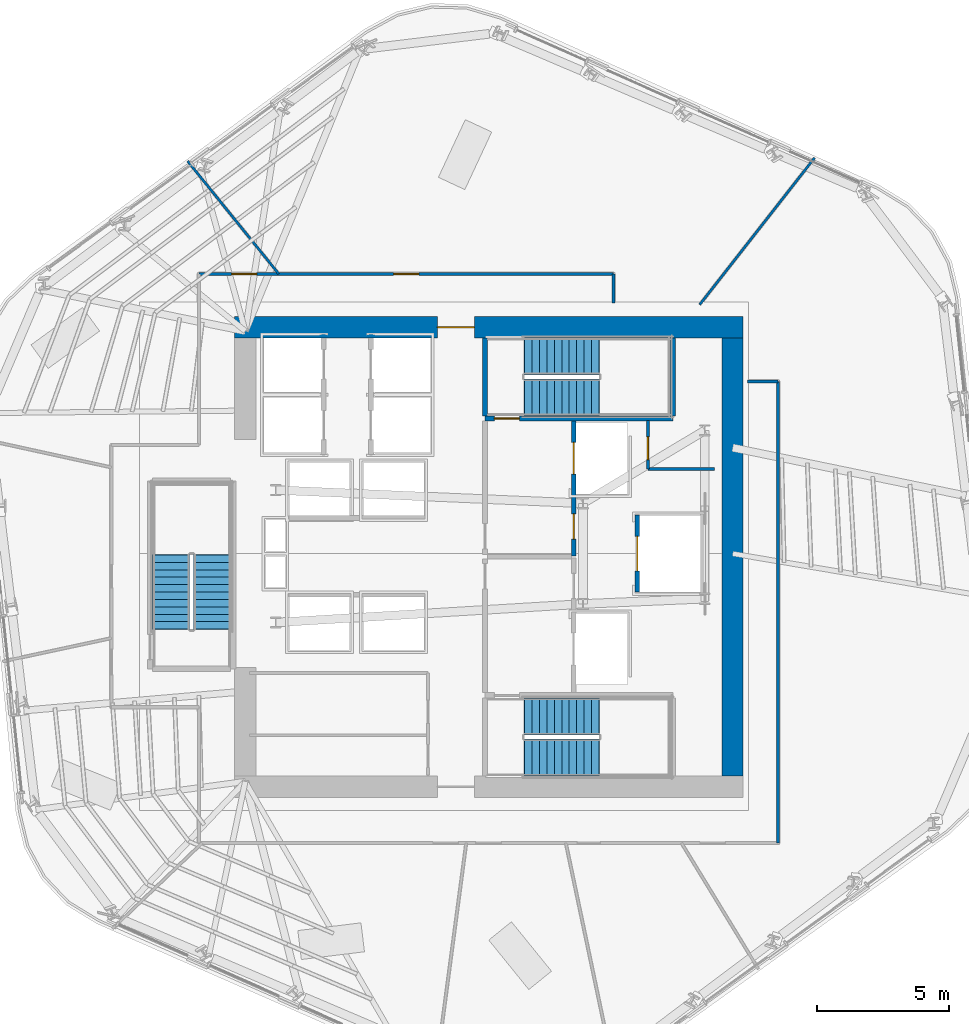
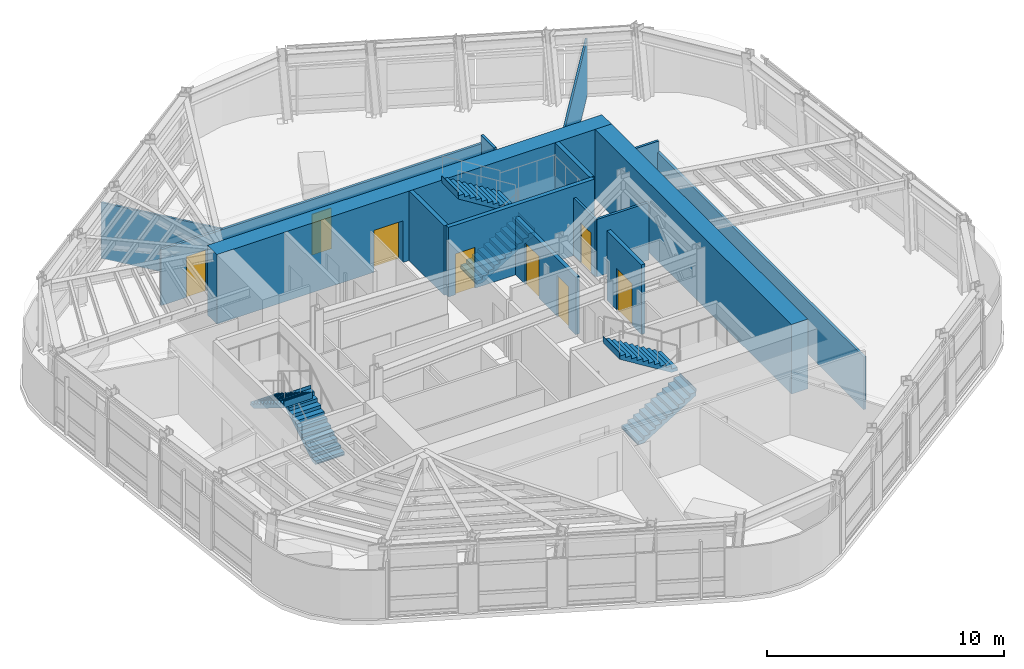
# One storey, part 9 of 14: 15 walls, 8 doors, 6 stair flights, 8 openings, 3 elements without a shape of their own.
"""IFC4 building model written with IfcOpenShell, lengths in metres."""

from ifc_helpers import new_model, si_unit, direction, frame, frame_2d, origin, place, context, subcontext, project, spatial, polyline, rectangle, outline, extrude, material, layer, layer_set, type_object, element, fill, aggregate, save


model = new_model("IFC4")

# Units and contexts
model_context = context("Model", 3, precision=1e-05, world=origin(), true_north=direction((0.0, 1.0)))
body_context = subcontext(model_context, "Body", "Model", "MODEL_VIEW")
ifc_project = project(units=[si_unit("LENGTHUNIT", "METRE"), si_unit("AREAUNIT", "SQUARE_METRE"), si_unit("VOLUMEUNIT", "CUBIC_METRE"), si_unit("PLANEANGLEUNIT", "RADIAN"), si_unit("MASSUNIT", "GRAM", prefix="KILO")], contexts=[model_context])

# Site, building, storey
site_placement = place(None, origin())
site = spatial("IfcSite", under=ifc_project, at=site_placement, CompositionType="ELEMENT")
building_placement = place(site_placement, origin())
building = spatial("IfcBuilding", under=site, at=building_placement, Name="Valkerne Bourse Tower", CompositionType="ELEMENT")
storey_placement = place(building_placement, frame((0.0, 0.0, 178.0)))
storey = spatial("IfcBuildingStorey", under=building, at=storey_placement, Name="L45", CompositionType="ELEMENT", Elevation=178.0)

# Wall, opening, door
ifc_material_1 = material(Name="Concrete C55/67", Category="concrete")
ifc_layer_1 = layer(ifc_material_1, 0.800048828125)
ifc_layer_set_1 = layer_set([ifc_layer_1], Name="Concrete C55/67")
wall_type_1 = type_object("IfcWallType", Name="W-CORE-800", PredefinedType="SHEAR", material=ifc_layer_set_1)
wall_1_placement = place(storey_placement, frame((37.199951171875, 35.550048828125, 0.0), z_axis=(0.0, 0.0, 1.0), x_axis=(1.0, 0.0, 0.0)))
wall_1 = element("IfcWall", 1, at=wall_1_placement, inside=storey, type_object=wall_type_1, Name="L45 Core Shear Wall NORTH", PredefinedType="SHEAR", context=body_context, shape_type="SweptSolid", body=[
    extrude(rectangle(XDim=19.199951171875, YDim=0.800048828125, at=frame_2d((9.60009765625, 0.0))), origin(), (0.0, 0.0, 1.0), 3.580078125),
])
opening_1_placement = place(wall_1_placement, frame((7.64990234375, 0.0, 0.0)))
opening_1 = element("IfcOpeningElement", 2, at=opening_1_placement, cuts=wall_1, Name="Opening D-PL-1400", PredefinedType="OPENING", context=body_context, shape_type="SweptSolid", body=[
    extrude(rectangle(XDim=1.39990234375, YDim=2.14990234375, at=frame_2d((0.699951171875, 1.074951171875))), frame((0.0, 0.409912109375, 0.0), z_axis=(0.0, -1.0, 0.0), x_axis=(1.0, 0.0, 0.0)), (0.0, 0.0, 1.0), 0.820068359375),
])
ifc_material_2 = material(Name="Galvanised Painted Steel", Category="steel")
door_type_1 = type_object("IfcDoorType", Name="DR-PLT-1400", OperationType="DOUBLE_DOOR_SINGLE_SWING", PredefinedType="DOOR", material=ifc_material_2)
door_1_placement = place(opening_1_placement, origin())
door_1 = element("IfcDoor", 3, at=door_1_placement, inside=storey, type_object=door_type_1, Name="L45 North Passenger Lift Hall Fire Door", OperationType="DOUBLE_DOOR_SINGLE_SWING", OverallHeight=2.14990234375, OverallWidth=1.39990234375, PredefinedType="DOOR", context=body_context, shape_type="SweptSolid", body=[
    extrude(rectangle(XDim=1.39990234375, YDim=2.14990234375, at=frame_2d((0.699951171875, 1.074951171875))), frame((0.0, 0.02490234375, 0.0), z_axis=(0.0, -1.0, 0.0), x_axis=(1.0, 0.0, 0.0)), (0.0, 0.0, 1.0), 0.050048828125),
])
fill(opening_1, door_1)

# Wall
wall_2_placement = place(storey_placement, frame((56.0, 18.60009765625, 0.0), z_axis=(0.0, 0.0, 1.0), x_axis=(0.0, 1.0, 0.0)))
element("IfcWall", 4, at=wall_2_placement, inside=storey, type_object=wall_type_1, Name="L45 Core Shear Wall EAST", PredefinedType="SHEAR", context=body_context, shape_type="SweptSolid", body=[
    extrude(rectangle(XDim=16.5498046875, YDim=0.800048828125, at=frame_2d((8.27490234375, 0.0))), origin(), (0.0, 0.0, 1.0), 3.580078125),
])

# Wall, opening, door
ifc_material_3 = material(Name="Gypsum Board Steel-Stud Partition", Category="steel")
ifc_layer_2 = layer(ifc_material_3, 0.117919921875)
ifc_layer_set_2 = layer_set([ifc_layer_2], Name="Gypsum Board Steel-Stud Partition")
wall_type_2 = type_object("IfcWallType", Name="W-CORR-140", PredefinedType="PARTITIONING", material=ifc_layer_set_2)
wall_3_placement = place(storey_placement, frame((52.800048828125, 30.199951171875, 0.0), z_axis=(0.0, 0.0, 1.0), x_axis=(0.0, 1.0, 0.0)))
wall_3 = element("IfcWall", 5, at=wall_3_placement, inside=storey, type_object=wall_type_2, Name="L45 Core NE Bay West Wall", PredefinedType="PARTITIONING", context=body_context, shape_type="SweptSolid", body=[
    extrude(rectangle(XDim=1.820068359375, YDim=0.117919921875, at=frame_2d((0.91015625, 0.0))), origin(), (0.0, 0.0, 1.0), 2.9580078125),
])
opening_2_placement = place(wall_3_placement, frame((0.35009765625, 0.0, 0.0)))
opening_2 = element("IfcOpeningElement", 6, at=opening_2_placement, cuts=wall_3, Name="Opening D-WC-900", PredefinedType="OPENING", context=body_context, shape_type="SweptSolid", body=[
    extrude(rectangle(XDim=0.860107421875, YDim=2.050048828125, at=frame_2d((0.43017578125, 1.02490234375))), frame((0.0, 0.06884765625, 0.0), z_axis=(0.0, -1.0, 0.0), x_axis=(1.0, 0.0, 0.0)), (0.0, 0.0, 1.0), 0.137939453125),
])
ifc_material_4 = material(Name="Architectural White Oak Timber", Category="wood")
door_type_2 = type_object("IfcDoorType", Name="DR-WC-900", OperationType="NOTDEFINED", PredefinedType="DOOR", material=ifc_material_4)
door_2_placement = place(opening_2_placement, origin())
door_2 = element("IfcDoor", 7, at=door_2_placement, inside=storey, type_object=door_type_2, Name="L45 Electrical Closet Door", OperationType="SINGLE_SWING_LEFT", OverallHeight=2.050048828125, OverallWidth=0.860107421875, PredefinedType="DOOR", context=body_context, shape_type="SweptSolid", body=[
    extrude(rectangle(XDim=0.860107421875, YDim=2.050048828125, at=frame_2d((0.43017578125, 1.02490234375))), frame((0.0, 0.02490234375, 0.0), z_axis=(0.0, -1.0, 0.0), x_axis=(1.0, 0.0, 0.0)), (0.0, 0.0, 1.0), 0.050048828125),
])
fill(opening_2, door_2)

# Wall
wall_4_placement = place(storey_placement, frame((52.800048828125, 30.199951171875, 0.0), z_axis=(0.0, 0.0, 1.0), x_axis=(1.0, 0.0, 0.0)))
element("IfcWall", 8, at=wall_4_placement, inside=storey, type_object=wall_type_2, Name="L45 Core NE Bay South Wall", PredefinedType="PARTITIONING", context=body_context, shape_type="SweptSolid", body=[
    extrude(rectangle(XDim=2.52001953125, YDim=0.117919921875, at=frame_2d((1.260009765625, 0.0))), origin(), (0.0, 0.0, 1.0), 2.9580078125),
])

# Wall, openings, doors
wall_5_placement = place(storey_placement, frame((35.85009765625, 37.56005859375, 0.0), z_axis=(0.0, 0.0, 1.0), x_axis=(1.0, 0.0, 0.0)))
wall_5 = element("IfcWall", 9, at=wall_5_placement, inside=storey, type_object=wall_type_2, Name="L45 Corridor Enclosure Wall", PredefinedType="PARTITIONING", context=body_context, shape_type="SweptSolid", body=[
    extrude(rectangle(XDim=15.64990234375, YDim=0.117919921875, at=frame_2d((7.824951171875, 0.0))), origin(), (0.0, 0.0, 1.0), 2.876708984375),
])
opening_3_placement = place(wall_5_placement, frame((1.22998046875, 0.0, 0.0)))
opening_3 = element("IfcOpeningElement", 10, at=opening_3_placement, cuts=wall_5, Name="Opening D-OF-950", PredefinedType="OPENING", context=body_context, shape_type="SweptSolid", body=[
    extrude(rectangle(XDim=0.949951171875, YDim=2.10009765625, at=frame_2d((0.47509765625, 1.050048828125))), frame((0.0, 0.06884765625, 0.0), z_axis=(0.0, -1.0, 0.0), x_axis=(1.0, 0.0, 0.0)), (0.0, 0.0, 1.0), 0.137939453125),
])
opening_4_placement = place(wall_5_placement, frame((7.35009765625, 0.0, 0.0)))
opening_4 = element("IfcOpeningElement", 11, at=opening_4_placement, cuts=wall_5, Name="Opening D-OF-950", PredefinedType="OPENING", context=body_context, shape_type="SweptSolid", body=[
    extrude(rectangle(XDim=0.949951171875, YDim=2.10009765625, at=frame_2d((0.47509765625, 1.050048828125))), frame((0.0, 0.06884765625, 0.0), z_axis=(0.0, -1.0, 0.0), x_axis=(1.0, 0.0, 0.0)), (0.0, 0.0, 1.0), 0.137939453125),
])
door_type_3 = type_object("IfcDoorType", Name="DR-OFF-950", OperationType="NOTDEFINED", PredefinedType="DOOR", material=ifc_material_4)
door_3_placement = place(opening_3_placement, origin())
door_3 = element("IfcDoor", 12, at=door_3_placement, inside=storey, type_object=door_type_3, Name="L45 L45 Trading Desk Office 6 Door", OperationType="SINGLE_SWING_RIGHT", OverallHeight=2.10009765625, OverallWidth=0.949951171875, PredefinedType="DOOR", context=body_context, shape_type="SweptSolid", body=[
    extrude(rectangle(XDim=0.949951171875, YDim=2.10009765625, at=frame_2d((0.47509765625, 1.050048828125))), frame((0.0, 0.02490234375, 0.0), z_axis=(0.0, -1.0, 0.0), x_axis=(1.0, 0.0, 0.0)), (0.0, 0.0, 1.0), 0.050048828125),
])
fill(opening_3, door_3)
door_4_placement = place(opening_4_placement, origin())
door_4 = element("IfcDoor", 13, at=door_4_placement, inside=storey, type_object=door_type_3, Name="L45 L45 Executive Economics Study Room 7 Door", OperationType="SINGLE_SWING_RIGHT", OverallHeight=2.10009765625, OverallWidth=0.949951171875, PredefinedType="DOOR", context=body_context, shape_type="SweptSolid", body=[
    extrude(rectangle(XDim=0.949951171875, YDim=2.10009765625, at=frame_2d((0.47509765625, 1.050048828125))), frame((0.0, 0.02490234375, 0.0), z_axis=(0.0, -1.0, 0.0), x_axis=(1.0, 0.0, 0.0)), (0.0, 0.0, 1.0), 0.050048828125),
])
fill(opening_4, door_4)

# Walls
wall_6_placement = place(storey_placement, frame((51.5, 37.56005859375, 0.0), z_axis=(0.0, 0.0, 1.0), x_axis=(0.0, -1.0, 0.0)))
element("IfcWall", 14, at=wall_6_placement, inside=storey, type_object=wall_type_2, Name="L45 Corridor Enclosure Wall", PredefinedType="PARTITIONING", context=body_context, shape_type="SweptSolid", body=[
    extrude(rectangle(XDim=1.10009765625, YDim=0.117919921875, at=frame_2d((0.550048828125, 0.0))), origin(), (0.0, 0.0, 1.0), 3.280029296875),
])
wall_7_placement = place(storey_placement, frame((56.56005859375, 33.5, 0.0), z_axis=(0.0, 0.0, 1.0), x_axis=(1.0, 0.0, 0.0)))
element("IfcWall", 15, at=wall_7_placement, inside=storey, type_object=wall_type_2, Name="L45 Corridor Enclosure Wall", PredefinedType="PARTITIONING", context=body_context, shape_type="SweptSolid", body=[
    extrude(rectangle(XDim=1.159912109375, YDim=0.117919921875, at=frame_2d((0.580078125, 0.0))), origin(), (0.0, 0.0, 1.0), 3.280029296875),
])
wall_8_placement = place(storey_placement, frame((57.719970703125, 33.5, 0.0), z_axis=(0.0, 0.0, 1.0), x_axis=(0.0, -1.0, 0.0)))
element("IfcWall", 16, at=wall_8_placement, inside=storey, type_object=wall_type_2, Name="L45 Corridor Enclosure Wall", PredefinedType="PARTITIONING", context=body_context, shape_type="SweptSolid", body=[
    extrude(rectangle(XDim=17.419921875, YDim=0.117919921875, at=frame_2d((8.7099609375, 0.0))), origin(), (0.0, 0.0, 1.0), 2.711669921875),
])

# Wall, openings, doors
ifc_material_5 = material(Name="Gypsum Fire-Rated Shaftwall", Category="gypsum")
ifc_layer_3 = layer(ifc_material_5, 0.179931640625)
ifc_layer_set_3 = layer_set([ifc_layer_3], Name="Gypsum Fire-Rated Shaftwall")
wall_type_3 = type_object("IfcWallType", Name="W-FSAE-180", PredefinedType="PARTITIONING", material=ifc_layer_set_3)
wall_9_placement = place(storey_placement, frame((50.0, 26.919921875, 0.0), z_axis=(0.0, 0.0, 1.0), x_axis=(0.0, 1.0, 0.0)))
wall_9 = element("IfcWall", 17, at=wall_9_placement, inside=storey, type_object=wall_type_3, Name="L45 FSAE-2 Lobby & Shaft Front Wall", PredefinedType="PARTITIONING", context=body_context, shape_type="SweptSolid", body=[
    extrude(rectangle(XDim=5.080078125, YDim=0.179931640625, at=frame_2d((2.5400390625, 0.0))), origin(), (0.0, 0.0, 1.0), 2.9580078125),
])
opening_5_placement = place(wall_9_placement, frame((3.080078125, 0.0, 0.0)))
opening_5 = element("IfcOpeningElement", 18, at=opening_5_placement, cuts=wall_9, Name="Opening LD-1200", PredefinedType="OPENING", context=body_context, shape_type="SweptSolid", body=[
    extrude(rectangle(XDim=1.199951171875, YDim=2.14990234375, at=frame_2d((0.60009765625, 1.074951171875))), frame((0.0, 0.099853515625, 0.0), z_axis=(0.0, -1.0, 0.0), x_axis=(1.0, 0.0, 0.0)), (0.0, 0.0, 1.0), 0.199951171875),
])
opening_6_placement = place(wall_9_placement, frame((0.6298828125, 0.0, 0.0)))
opening_6 = element("IfcOpeningElement", 19, at=opening_6_placement, cuts=wall_9, Name="Opening D-FS-950", PredefinedType="OPENING", context=body_context, shape_type="SweptSolid", body=[
    extrude(rectangle(XDim=0.949951171875, YDim=2.10009765625, at=frame_2d((0.47509765625, 1.050048828125))), frame((0.0, 0.099853515625, 0.0), z_axis=(0.0, -1.0, 0.0), x_axis=(1.0, 0.0, 0.0)), (0.0, 0.0, 1.0), 0.199951171875),
])
door_type_4 = type_object("IfcDoorType", Name="DR-FSAE-950", OperationType="NOTDEFINED", PredefinedType="DOOR", material=ifc_material_2)
door_5_placement = place(opening_6_placement, origin())
door_5 = element("IfcDoor", 20, at=door_5_placement, inside=storey, type_object=door_type_4, Name="L45 FSAE-2 Lobby Corridor Fire Door", OperationType="SINGLE_SWING_LEFT", OverallHeight=2.10009765625, OverallWidth=0.949951171875, PredefinedType="DOOR", context=body_context, shape_type="SweptSolid", body=[
    extrude(rectangle(XDim=0.949951171875, YDim=2.10009765625, at=frame_2d((0.47509765625, 1.050048828125))), frame((0.0, 0.02490234375, 0.0), z_axis=(0.0, -1.0, 0.0), x_axis=(1.0, 0.0, 0.0)), (0.0, 0.0, 1.0), 0.050048828125),
])
fill(opening_6, door_5)
ifc_material_6 = material(Name="Stainless Steel AISI 316", Category="steel")
door_type_5 = type_object("IfcDoorType", Name="DR-LIFT-1200", OperationType="DOUBLE_DOOR_SLIDING", PredefinedType="DOOR", material=ifc_material_6)
door_6_placement = place(opening_5_placement, origin())
door_6 = element("IfcDoor", 21, at=door_6_placement, inside=storey, type_object=door_type_5, Name="L45 FSAE-2 Firefighting Lift Landing Door", OperationType="DOUBLE_DOOR_SLIDING", OverallHeight=2.14990234375, OverallWidth=1.199951171875, PredefinedType="DOOR", context=body_context, shape_type="SweptSolid", body=[
    extrude(rectangle(XDim=1.199951171875, YDim=2.14990234375, at=frame_2d((0.60009765625, 1.074951171875))), frame((0.0, 0.02490234375, 0.0), z_axis=(0.0, -1.0, 0.0), x_axis=(1.0, 0.0, 0.0)), (0.0, 0.0, 1.0), 0.050048828125),
])
fill(opening_5, door_6)

# Wall, opening, door
ifc_material_7 = material(Name="CMU Blockwork Masonry 200mm", Category="masonry")
ifc_layer_4 = layer(ifc_material_7, 0.179931640625)
ifc_layer_set_4 = layer_set([ifc_layer_4], Name="CMU Blockwork Masonry 200mm")
wall_type_4 = type_object("IfcWallType", Name="W-LFT-180", PredefinedType="SOLIDWALL", material=ifc_layer_set_4)
wall_10_placement = place(storey_placement, frame((52.39990234375, 25.550048828125, 0.0), z_axis=(0.0, 0.0, 1.0), x_axis=(0.0, 1.0, 0.0)))
wall_10 = element("IfcWall", 22, at=wall_10_placement, inside=storey, type_object=wall_type_4, Name="L45 Service Lift SV-1 Front Wall", PredefinedType="SOLIDWALL", context=body_context, shape_type="SweptSolid", body=[
    extrude(rectangle(XDim=2.89990234375, YDim=0.179931640625, at=frame_2d((1.449951171875, 0.0))), origin(), (0.0, 0.0, 1.0), 3.580078125),
])
opening_7_placement = place(wall_10_placement, frame((0.800048828125, 0.0, 0.0)))
opening_7 = element("IfcOpeningElement", 23, at=opening_7_placement, cuts=wall_10, Name="Opening LD-1300", PredefinedType="OPENING", context=body_context, shape_type="SweptSolid", body=[
    extrude(rectangle(XDim=1.300048828125, YDim=2.14990234375, at=frame_2d((0.64990234375, 1.074951171875))), frame((0.0, 0.099853515625, 0.0), z_axis=(0.0, -1.0, 0.0), x_axis=(1.0, 0.0, 0.0)), (0.0, 0.0, 1.0), 0.199951171875),
])
door_type_6 = type_object("IfcDoorType", Name="DR-LIFT-1300", OperationType="DOUBLE_DOOR_SLIDING", PredefinedType="DOOR", material=ifc_material_6)
door_7_placement = place(opening_7_placement, origin())
door_7 = element("IfcDoor", 24, at=door_7_placement, inside=storey, type_object=door_type_6, Name="L45 Service Lift SV-1 Landing Door", OperationType="DOUBLE_DOOR_SLIDING", OverallHeight=2.14990234375, OverallWidth=1.300048828125, PredefinedType="DOOR", context=body_context, shape_type="SweptSolid", body=[
    extrude(rectangle(XDim=1.300048828125, YDim=2.14990234375, at=frame_2d((0.64990234375, 1.074951171875))), frame((0.0, 0.02490234375, 0.0), z_axis=(0.0, -1.0, 0.0), x_axis=(1.0, 0.0, 0.0)), (0.0, 0.0, 1.0), 0.050048828125),
])
fill(opening_7, door_7)

# Walls
ifc_layer_5 = layer(ifc_material_3, 0.092041015625)
ifc_layer_set_5 = layer_set([ifc_layer_5], Name="Gypsum Board Steel-Stud Partition")
wall_type_5 = type_object("IfcWallType", Name="W-PART-115", PredefinedType="PARTITIONING", material=ifc_layer_set_5)
wall_11_placement = place(storey_placement, frame((54.75634765625, 36.39990234375, 0.0), z_axis=(0.0, 0.0, 1.0), x_axis=(0.616294228841, 0.787515983011, 0.0)))
element("IfcWall", 25, at=wall_11_placement, inside=storey, type_object=wall_type_5, Name="L45 Suite Partition P04", PredefinedType="PARTITIONING", context=body_context, shape_type="SweptSolid", body=[
    extrude(rectangle(XDim=7.03662109375, YDim=0.092041015625, at=frame_2d((3.518310546875, 0.0))), origin(), (0.0, 0.0, 1.0), 2.942626953125),
])
wall_12_placement = place(storey_placement, frame((38.861083984375, 37.56494140625, 0.0), z_axis=(0.0, 0.0, 1.0), x_axis=(-0.628591724085, 0.777735459145, 0.0)))
element("IfcWall", 26, at=wall_12_placement, inside=storey, type_object=wall_type_5, Name="L45 Suite Partition P05", PredefinedType="PARTITIONING", context=body_context, shape_type="SweptSolid", body=[
    extrude(rectangle(XDim=5.467529296875, YDim=0.092041015625, at=frame_2d((2.73388671875, 0.0))), origin(), (0.0, 0.0, 1.0), 2.876708984375),
])

# Wall, opening, door
ifc_material_8 = material(Name="Concrete C40/50", Category="concrete")
ifc_layer_6 = layer(ifc_material_8, 0.199951171875)
ifc_layer_set_6 = layer_set([ifc_layer_6], Name="Concrete C40/50")
wall_type_6 = type_object("IfcWallType", Name="W-SHF-200", PredefinedType="SHEAR", material=ifc_layer_set_6)
wall_13_placement = place(storey_placement, frame((46.64990234375, 32.10009765625, 0.0), z_axis=(0.0, 0.0, 1.0), x_axis=(1.0, 0.0, 0.0)))
wall_13 = element("IfcWall", 27, at=wall_13_placement, inside=storey, type_object=wall_type_6, Name="L45 Exit Stair ST-2 Structural Shaft Wall South", PredefinedType="SHEAR", context=body_context, shape_type="SweptSolid", body=[
    extrude(rectangle(XDim=7.10009765625, YDim=0.199951171875, at=frame_2d((3.550048828125, 0.0))), origin(), (0.0, 0.0, 1.0), 3.580078125),
])
opening_8_placement = place(wall_13_placement, frame((0.35009765625, 0.0, 0.0)))
opening_8 = element("IfcOpeningElement", 28, at=opening_8_placement, cuts=wall_13, Name="Opening D-ST-950", PredefinedType="OPENING", context=body_context, shape_type="SweptSolid", body=[
    extrude(rectangle(XDim=0.949951171875, YDim=2.10009765625, at=frame_2d((0.47509765625, 1.050048828125))), frame((0.0, 0.10986328125, 0.0), z_axis=(0.0, -1.0, 0.0), x_axis=(1.0, 0.0, 0.0)), (0.0, 0.0, 1.0), 0.219970703125),
])
door_type_7 = type_object("IfcDoorType", Name="DR-STAIR-950", OperationType="NOTDEFINED", PredefinedType="DOOR", material=ifc_material_2)
door_8_placement = place(opening_8_placement, origin())
door_8 = element("IfcDoor", 29, at=door_8_placement, inside=storey, type_object=door_type_7, Name="L45 Exit Stair ST-2 Door", OperationType="SINGLE_SWING_RIGHT", OverallHeight=2.10009765625, OverallWidth=0.949951171875, PredefinedType="DOOR", context=body_context, shape_type="SweptSolid", body=[
    extrude(rectangle(XDim=0.949951171875, YDim=2.10009765625, at=frame_2d((0.47509765625, 1.050048828125))), frame((0.0, 0.02490234375, 0.0), z_axis=(0.0, -1.0, 0.0), x_axis=(1.0, 0.0, 0.0)), (0.0, 0.0, 1.0), 0.050048828125),
])
fill(opening_8, door_8)

# Walls
for number, where, z_axis, x_axis, name in (
    (30, (46.64990234375, 32.199951171875, 0.0), (0.0, 0.0, 1.0), (0.0, 1.0, 0.0), "L45 Exit Stair ST-2 Structural Shaft Wall West"),
    (31, (53.75, 32.199951171875, 0.0), (0.0, 0.0, 1.0), (0.0, 1.0, 0.0), "L45 Exit Stair ST-2 Structural Shaft Wall East"),
):
    element("IfcWall", number, at=place(storey_placement, frame(where, z_axis=z_axis, x_axis=x_axis)), inside=storey, type_object=wall_type_6, Name=name, PredefinedType="SHEAR", context=body_context, shape_type="SweptSolid", body=[
        extrude(rectangle(XDim=2.949951171875, YDim=0.199951171875, at=frame_2d((1.47509765625, 0.0))), origin(), (0.0, 0.0, 1.0), 3.580078125),
    ])

# Stair, stair flights
stair_type = type_object("IfcStairType", Name="ST-CORE-1400", PredefinedType="HALF_TURN_STAIR", material=ifc_material_8)
stair_1_placement = place(storey_placement, origin())
stair_1 = element("IfcStair", 32, at=stair_1_placement, inside=storey, type_object=stair_type, Name="L45 ST-1", PredefinedType="HALF_TURN_STAIR")
stair_flight_type = type_object("IfcStairFlightType", Name="STF-CORE-1400", PredefinedType="STRAIGHT", material=ifc_material_8)
stair_flight_1_placement = place(storey_placement, frame((48.14990234375, 19.300048828125, 0.0), z_axis=(0.0, 0.0, 1.0), x_axis=(1.0, 0.0, 0.0)))
stair_flight_1 = element("IfcStairFlight", 33, at=stair_flight_1_placement, type_object=stair_flight_type, Name="ST-1 flight 1", NumberOfRisers=11, NumberOfTreads=10, PredefinedType="STRAIGHT", RiserHeight=0.172727273, TreadLength=0.28, context=body_context, shape_type="SweptSolid", body=[
    extrude(outline(polyline([(-0.02001953125, 0.0), (-0.02001953125, 0.044921875), (0.0, 0.044921875), (0.0, 0.172607421875), (0.280029296875, 0.172607421875), (0.280029296875, 0.345458984375), (0.56005859375, 0.345458984375), (0.56005859375, 0.51806640625), (0.840087890625, 0.51806640625), (0.840087890625, 0.69091796875), (1.1201171875, 0.69091796875), (1.1201171875, 0.863525390625), (1.39990234375, 0.863525390625), (1.39990234375, 1.036376953125), (1.679931640625, 1.036376953125), (1.679931640625, 1.208984375), (1.9599609375, 1.208984375), (1.9599609375, 1.3818359375), (2.239990234375, 1.3818359375), (2.239990234375, 1.554443359375), (2.52001953125, 1.554443359375), (2.52001953125, 1.727294921875), (2.800048828125, 1.727294921875), (2.800048828125, 1.89990234375), (2.820068359375, 1.89990234375), (2.820068359375, 1.780029296875), (2.800048828125, 1.551025390625), (0.285400390625, 0.0), (-0.02001953125, 0.0)])), frame((0.0, 0.699951171875, 0.0), z_axis=(0.0, -1.0, 0.0), x_axis=(1.0, 0.0, 0.0)), (0.0, 0.0, 1.0), 1.39990234375),
])
stair_flight_2_placement = place(storey_placement, frame((50.949951171875, 20.85009765625, 1.89990234375), z_axis=(0.0, 0.0, 1.0), x_axis=(-1.0, 0.0, 0.0)))
stair_flight_2 = element("IfcStairFlight", 34, at=stair_flight_2_placement, type_object=stair_flight_type, Name="ST-1 flight 2", NumberOfRisers=11, NumberOfTreads=10, PredefinedType="STRAIGHT", RiserHeight=0.172727273, TreadLength=0.28, context=body_context, shape_type="SweptSolid", body=[
    extrude(outline(polyline([(-0.02001953125, 0.0), (-0.02001953125, 0.044921875), (0.0, 0.044921875), (0.0, 0.172607421875), (0.280029296875, 0.172607421875), (0.280029296875, 0.345458984375), (0.56005859375, 0.345458984375), (0.56005859375, 0.51806640625), (0.840087890625, 0.51806640625), (0.840087890625, 0.69091796875), (1.1201171875, 0.69091796875), (1.1201171875, 0.863525390625), (1.39990234375, 0.863525390625), (1.39990234375, 1.036376953125), (1.679931640625, 1.036376953125), (1.679931640625, 1.208984375), (1.9599609375, 1.208984375), (1.9599609375, 1.3818359375), (2.239990234375, 1.3818359375), (2.239990234375, 1.554443359375), (2.52001953125, 1.554443359375), (2.52001953125, 1.727294921875), (2.800048828125, 1.727294921875), (2.800048828125, 1.89990234375), (2.820068359375, 1.89990234375), (2.820068359375, 1.780029296875), (2.800048828125, 1.551025390625), (0.285400390625, 0.0), (-0.02001953125, 0.0)])), frame((0.0, 0.699951171875, 0.0), z_axis=(0.0, -1.0, 0.0), x_axis=(1.0, 0.0, 0.0)), (0.0, 0.0, 1.0), 1.39990234375),
])
aggregate(stair_1, [stair_flight_1, stair_flight_2])

stair_2_placement = place(storey_placement, origin())
stair_2 = element("IfcStair", 35, at=stair_2_placement, inside=storey, type_object=stair_type, Name="L45 ST-2", PredefinedType="HALF_TURN_STAIR")
stair_flight_3_placement = place(storey_placement, frame((48.14990234375, 32.89990234375, 0.0), z_axis=(0.0, 0.0, 1.0), x_axis=(1.0, 0.0, 0.0)))
stair_flight_3 = element("IfcStairFlight", 36, at=stair_flight_3_placement, type_object=stair_flight_type, Name="ST-2 flight 1", NumberOfRisers=11, NumberOfTreads=10, PredefinedType="STRAIGHT", RiserHeight=0.172727273, TreadLength=0.28, context=body_context, shape_type="SweptSolid", body=[
    extrude(outline(polyline([(-0.02001953125, 0.0), (-0.02001953125, 0.044921875), (0.0, 0.044921875), (0.0, 0.172607421875), (0.280029296875, 0.172607421875), (0.280029296875, 0.345458984375), (0.56005859375, 0.345458984375), (0.56005859375, 0.51806640625), (0.840087890625, 0.51806640625), (0.840087890625, 0.69091796875), (1.1201171875, 0.69091796875), (1.1201171875, 0.863525390625), (1.39990234375, 0.863525390625), (1.39990234375, 1.036376953125), (1.679931640625, 1.036376953125), (1.679931640625, 1.208984375), (1.9599609375, 1.208984375), (1.9599609375, 1.3818359375), (2.239990234375, 1.3818359375), (2.239990234375, 1.554443359375), (2.52001953125, 1.554443359375), (2.52001953125, 1.727294921875), (2.800048828125, 1.727294921875), (2.800048828125, 1.89990234375), (2.820068359375, 1.89990234375), (2.820068359375, 1.780029296875), (2.800048828125, 1.551025390625), (0.285400390625, 0.0), (-0.02001953125, 0.0)])), frame((0.0, 0.699951171875, 0.0), z_axis=(0.0, -1.0, 0.0), x_axis=(1.0, 0.0, 0.0)), (0.0, 0.0, 1.0), 1.39990234375),
])
stair_flight_4_placement = place(storey_placement, frame((50.949951171875, 34.449951171875, 1.89990234375), z_axis=(0.0, 0.0, 1.0), x_axis=(-1.0, 0.0, 0.0)))
stair_flight_4 = element("IfcStairFlight", 37, at=stair_flight_4_placement, type_object=stair_flight_type, Name="ST-2 flight 2", NumberOfRisers=11, NumberOfTreads=10, PredefinedType="STRAIGHT", RiserHeight=0.172727273, TreadLength=0.28, context=body_context, shape_type="SweptSolid", body=[
    extrude(outline(polyline([(-0.02001953125, 0.0), (-0.02001953125, 0.044921875), (0.0, 0.044921875), (0.0, 0.172607421875), (0.280029296875, 0.172607421875), (0.280029296875, 0.345458984375), (0.56005859375, 0.345458984375), (0.56005859375, 0.51806640625), (0.840087890625, 0.51806640625), (0.840087890625, 0.69091796875), (1.1201171875, 0.69091796875), (1.1201171875, 0.863525390625), (1.39990234375, 0.863525390625), (1.39990234375, 1.036376953125), (1.679931640625, 1.036376953125), (1.679931640625, 1.208984375), (1.9599609375, 1.208984375), (1.9599609375, 1.3818359375), (2.239990234375, 1.3818359375), (2.239990234375, 1.554443359375), (2.52001953125, 1.554443359375), (2.52001953125, 1.727294921875), (2.800048828125, 1.727294921875), (2.800048828125, 1.89990234375), (2.820068359375, 1.89990234375), (2.820068359375, 1.780029296875), (2.800048828125, 1.551025390625), (0.285400390625, 0.0), (-0.02001953125, 0.0)])), frame((0.0, 0.699951171875, 0.0), z_axis=(0.0, -1.0, 0.0), x_axis=(1.0, 0.0, 0.0)), (0.0, 0.0, 1.0), 1.39990234375),
])
aggregate(stair_2, [stair_flight_3, stair_flight_4])

stair_3_placement = place(storey_placement, origin())
stair_3 = element("IfcStair", 38, at=stair_3_placement, inside=storey, type_object=stair_type, Name="L45 ST-3", PredefinedType="HALF_TURN_STAIR")
stair_flight_5_placement = place(storey_placement, frame((36.35009765625, 24.14990234375, 0.0), z_axis=(0.0, 0.0, 1.0), x_axis=(0.0, 1.0, 0.0)))
stair_flight_5 = element("IfcStairFlight", 39, at=stair_flight_5_placement, type_object=stair_flight_type, Name="ST-3 flight 1", NumberOfRisers=11, NumberOfTreads=10, PredefinedType="STRAIGHT", RiserHeight=0.172727273, TreadLength=0.28, context=body_context, shape_type="SweptSolid", body=[
    extrude(outline(polyline([(-0.02001953125, 0.0), (-0.02001953125, 0.044921875), (0.0, 0.044921875), (0.0, 0.172607421875), (0.280029296875, 0.172607421875), (0.280029296875, 0.345458984375), (0.56005859375, 0.345458984375), (0.56005859375, 0.51806640625), (0.840087890625, 0.51806640625), (0.840087890625, 0.69091796875), (1.1201171875, 0.69091796875), (1.1201171875, 0.863525390625), (1.39990234375, 0.863525390625), (1.39990234375, 1.036376953125), (1.679931640625, 1.036376953125), (1.679931640625, 1.208984375), (1.9599609375, 1.208984375), (1.9599609375, 1.3818359375), (2.239990234375, 1.3818359375), (2.239990234375, 1.554443359375), (2.52001953125, 1.554443359375), (2.52001953125, 1.727294921875), (2.800048828125, 1.727294921875), (2.800048828125, 1.89990234375), (2.820068359375, 1.89990234375), (2.820068359375, 1.780029296875), (2.800048828125, 1.551025390625), (0.285400390625, 0.0), (-0.02001953125, 0.0)])), frame((0.0, 0.699951171875, 0.0), z_axis=(0.0, -1.0, 0.0), x_axis=(1.0, 0.0, 0.0)), (0.0, 0.0, 1.0), 1.39990234375),
])
stair_flight_6_placement = place(storey_placement, frame((34.800048828125, 26.949951171875, 1.89990234375), z_axis=(0.0, 0.0, 1.0), x_axis=(0.0, -1.0, 0.0)))
stair_flight_6 = element("IfcStairFlight", 40, at=stair_flight_6_placement, type_object=stair_flight_type, Name="ST-3 flight 2", NumberOfRisers=11, NumberOfTreads=10, PredefinedType="STRAIGHT", RiserHeight=0.172727273, TreadLength=0.28, context=body_context, shape_type="SweptSolid", body=[
    extrude(outline(polyline([(-0.02001953125, 0.0), (-0.02001953125, 0.044921875), (0.0, 0.044921875), (0.0, 0.172607421875), (0.280029296875, 0.172607421875), (0.280029296875, 0.345458984375), (0.56005859375, 0.345458984375), (0.56005859375, 0.51806640625), (0.840087890625, 0.51806640625), (0.840087890625, 0.69091796875), (1.1201171875, 0.69091796875), (1.1201171875, 0.863525390625), (1.39990234375, 0.863525390625), (1.39990234375, 1.036376953125), (1.679931640625, 1.036376953125), (1.679931640625, 1.208984375), (1.9599609375, 1.208984375), (1.9599609375, 1.3818359375), (2.239990234375, 1.3818359375), (2.239990234375, 1.554443359375), (2.52001953125, 1.554443359375), (2.52001953125, 1.727294921875), (2.800048828125, 1.727294921875), (2.800048828125, 1.89990234375), (2.820068359375, 1.89990234375), (2.820068359375, 1.780029296875), (2.800048828125, 1.551025390625), (0.285400390625, 0.0), (-0.02001953125, 0.0)])), frame((0.0, 0.699951171875, 0.0), z_axis=(0.0, -1.0, 0.0), x_axis=(1.0, 0.0, 0.0)), (0.0, 0.0, 1.0), 1.39990234375),
])
aggregate(stair_3, [stair_flight_5, stair_flight_6])

save(model, "model.ifc")
